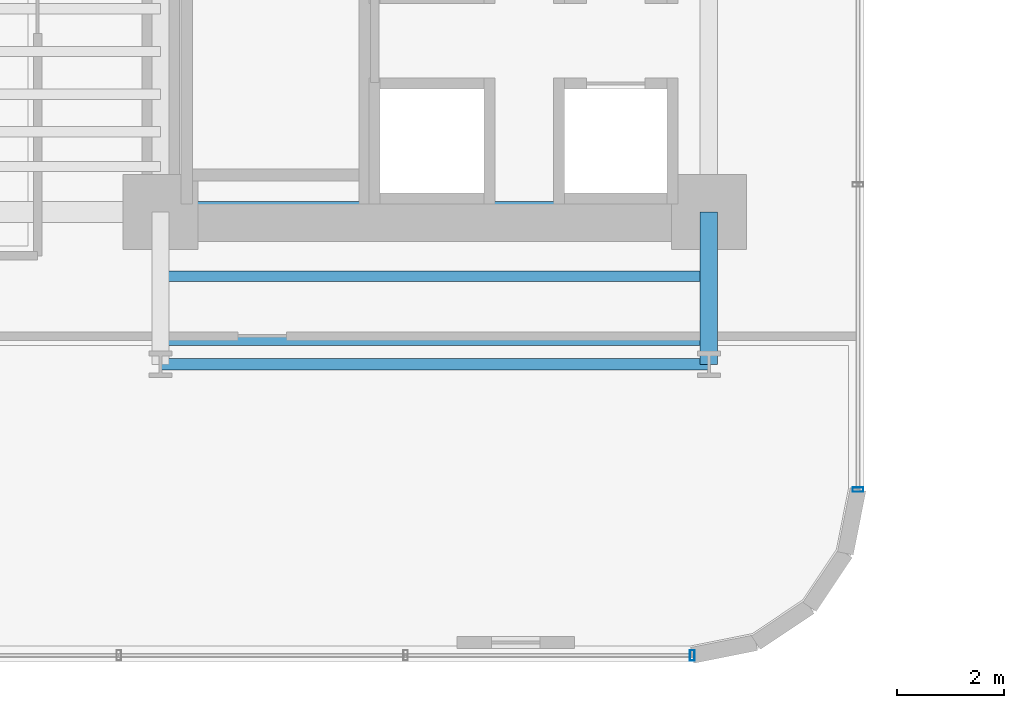
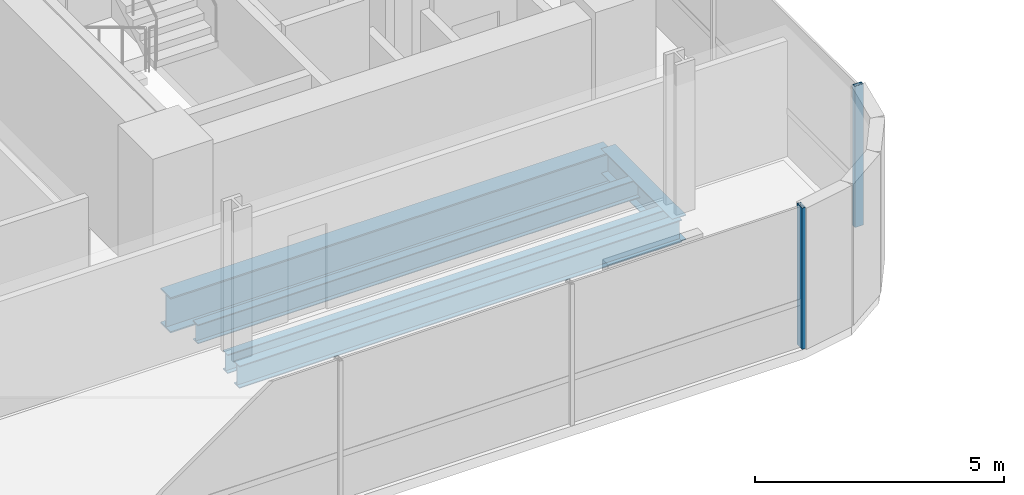
# One storey, part 5 of 40: 5 beams, 2 members, 2 elements without a shape of their own.
"""IFC4 building model written with IfcOpenShell, lengths in metres."""

from ifc_helpers import new_model, si_unit, direction, frame, origin, origin_2d, place, context, subcontext, project, spatial, hollow_rectangle, i_section, extrude, source, transform, mapped, material, material_profile, profile_set, type_object, element, aggregate, save


model = new_model("IFC4")

# Units and contexts
model_context = context("Model", 3, precision=1e-05, world=origin(), true_north=direction((0.0, 1.0)))
body_context = subcontext(model_context, "Body", "Model", "MODEL_VIEW")
ifc_project = project(units=[si_unit("LENGTHUNIT", "METRE"), si_unit("AREAUNIT", "SQUARE_METRE"), si_unit("VOLUMEUNIT", "CUBIC_METRE"), si_unit("PLANEANGLEUNIT", "RADIAN"), si_unit("MASSUNIT", "GRAM", prefix="KILO")], contexts=[model_context])

# Site, building, storey
site_placement = place(None, origin())
site = spatial("IfcSite", under=ifc_project, at=site_placement, CompositionType="ELEMENT")
building_placement = place(site_placement, origin())
building = spatial("IfcBuilding", under=site, at=building_placement, Name="Valdorenza Pilgrim Sanctuary Tower", CompositionType="ELEMENT")
storey_placement = place(building_placement, frame((0.0, 0.0, 48.199951171875)))
storey = spatial("IfcBuildingStorey", under=building, at=storey_placement, Name="L11", CompositionType="ELEMENT", Elevation=48.199951171875)

# Beams
ifc_material_1 = material(Name="Steel ASTM A992 Grade 50", Category="steel")
ifc_material_profile_1 = material_profile(ifc_material_1, i_section(OverallWidth=0.214111328125, OverallDepth=0.549072265625, WebThickness=0.0146484375, FlangeThickness=0.023681640625, at=origin_2d()), Name="W21X93")
ifc_profile_set_1 = profile_set([ifc_material_profile_1], Name="Steel ASTM A992 Grade 50")
beam_type_1 = type_object("IfcBeamType", Name="STR-BM-SPN-W21A", PredefinedType="SPANDREL", material=ifc_profile_set_1)
shared_shape_1 = source(origin(), body_context, "Body", "SweptSolid", [
    extrude(i_section(OverallWidth=0.214111328125, OverallDepth=0.549072265625, WebThickness=0.0146484375, FlangeThickness=0.023681640625, at=origin_2d()), origin(), (0.0, 0.0, 1.0), 10.25),
])
beam_1_placement = place(storey_placement, frame((-22.64990234375, -13.449951171875, -0.514404296875), z_axis=(1.0, 0.0, 0.0), x_axis=(0.0, 1.0, 0.0)))
element("IfcBeam", 1, at=beam_1_placement, inside=storey, type_object=beam_type_1, Name="L11 South Spandrel WA-S-TIE", PredefinedType="SPANDREL", context=body_context, shape_type="MappedRepresentation", body=[
    mapped(shared_shape_1, transform((0.0, 0.0, 0.0), x_axis=(1.0, 0.0, 0.0), y_axis=(0.0, 1.0, 0.0), z_axis=(0.0, 0.0, 1.0), scale=1.0)),
])
ifc_material_profile_2 = material_profile(ifc_material_1, i_section(OverallWidth=0.323974609375, OverallDepth=0.611083984375, WebThickness=0.0126953125, FlangeThickness=0.01904296875, at=origin_2d()), Name="W24X104")
ifc_profile_set_2 = profile_set([ifc_material_profile_2], Name="Steel ASTM A992 Grade 50")
beam_type_2 = type_object("IfcBeamType", Name="STR-BM-GRD-W24B", PredefinedType="BEAM", material=ifc_profile_set_2)
shared_shape_2 = source(origin(), body_context, "Body", "SweptSolid", [
    extrude(i_section(OverallWidth=0.323974609375, OverallDepth=0.611083984375, WebThickness=0.0126953125, FlangeThickness=0.01904296875, at=origin_2d()), origin(), (0.0, 0.0, 1.0), 2.849853515625),
])
beam_2_placement = place(storey_placement, frame((-12.39990234375, -13.449951171875, -0.54541015625), z_axis=(0.0, 1.0, 0.0), x_axis=(-1.0, 0.0, 0.0)))
element("IfcBeam", 2, at=beam_2_placement, inside=storey, type_object=beam_type_2, Name="L11 Floor Girder WA-S-LE", PredefinedType="BEAM", context=body_context, shape_type="MappedRepresentation", body=[
    mapped(shared_shape_2, transform((0.0, 0.0, 0.0), x_axis=(1.0, 0.0, 0.0), y_axis=(0.0, 1.0, 0.0), z_axis=(0.0, 0.0, 1.0), scale=1.0)),
])
ifc_material_profile_3 = material_profile(ifc_material_1, i_section(OverallWidth=0.193115234375, OverallDepth=0.466064453125, WebThickness=0.011474609375, FlangeThickness=0.01904296875, at=origin_2d()), Name="W18X65")
ifc_profile_set_3 = profile_set([ifc_material_profile_3], Name="Steel ASTM A992 Grade 50")
beam_type_3 = type_object("IfcBeamType", Name="STR-BM-JST-W18A", PredefinedType="JOIST", material=ifc_profile_set_3)
shared_shape_3 = source(origin(), body_context, "Body", "SweptSolid", [
    extrude(i_section(OverallWidth=0.193115234375, OverallDepth=0.466064453125, WebThickness=0.011474609375, FlangeThickness=0.01904296875, at=origin_2d()), origin(), (0.0, 0.0, 1.0), 10.25),
])
for number, where, z_axis, x_axis, name in (
    (3, (-22.64990234375, -13.0, -0.472900390625), (1.0, 0.0, 0.0), (0.0, 1.0, 0.0), "L11 Composite Floor Joist JST-WAS-1"),
    (4, (-22.64990234375, -11.800048828125, -0.472900390625), (1.0, 0.0, 0.0), (0.0, 1.0, 0.0), "L11 Composite Floor Joist JST-WAS-2"),
):
    element("IfcBeam", number, at=place(storey_placement, frame(where, z_axis=z_axis, x_axis=x_axis)), inside=storey, type_object=beam_type_3, Name=name, PredefinedType="JOIST", context=body_context, shape_type="MappedRepresentation", body=[
        mapped(shared_shape_3, transform((0.0, 0.0, 0.0), x_axis=(1.0, 0.0, 0.0), y_axis=(0.0, 1.0, 0.0), z_axis=(0.0, 0.0, 1.0), scale=1.0)),
    ])
ifc_material_profile_4 = material_profile(ifc_material_1, i_section(OverallWidth=0.39990234375, OverallDepth=0.862060546875, WebThickness=0.019775390625, FlangeThickness=0.032470703125, at=origin_2d()), Name="W33X221")
ifc_profile_set_4 = profile_set([ifc_material_profile_4], Name="Steel ASTM A992 Grade 50")
beam_type_4 = type_object("IfcBeamType", Name="STR-BM-GRD-W33", PredefinedType="BEAM", material=ifc_profile_set_4)
shared_shape_4 = source(origin(), body_context, "Body", "SweptSolid", [
    extrude(i_section(OverallWidth=0.39990234375, OverallDepth=0.862060546875, WebThickness=0.019775390625, FlangeThickness=0.032470703125, at=origin_2d()), origin(), (0.0, 0.0, 1.0), 10.25),
])
beam_3_placement = place(storey_placement, frame((-22.64990234375, -10.60009765625, -0.6708984375), z_axis=(1.0, 0.0, 0.0), x_axis=(0.0, 1.0, 0.0)))
element("IfcBeam", 5, at=beam_3_placement, inside=storey, type_object=beam_type_4, Name="L11 Floor Girder CA-XC-S1", PredefinedType="BEAM", context=body_context, shape_type="MappedRepresentation", body=[
    mapped(shared_shape_4, transform((0.0, 0.0, 0.0), x_axis=(1.0, 0.0, 0.0), y_axis=(0.0, 1.0, 0.0), z_axis=(0.0, 0.0, 1.0), scale=1.0)),
])

# Curtain wall, member
ifc_material_2 = material(Name="Curtain-wall IGU glazing", Category="glass")
curtain_wall_type = type_object("IfcCurtainWallType", Name="CW-SYS-02", PredefinedType="NOTDEFINED", material=ifc_material_2)
curtain_wall_1_placement = place(storey_placement, origin())
curtain_wall_1 = element("IfcCurtainWall", 6, at=curtain_wall_1_placement, inside=storey, type_object=curtain_wall_type, Name="L11 Curtain Wall CW-L11-1-41", PredefinedType="NOTDEFINED")
ifc_material_3 = material(Name="Anodised aluminium AW-6060", Category="aluminium")
ifc_material_profile_5 = material_profile(ifc_material_3, hollow_rectangle(XDim=0.0849609375, YDim=0.199951171875, WallThickness=0.0048828125, at=origin_2d()), Name="ALU-M 200x85x5")
ifc_profile_set_5 = profile_set([ifc_material_profile_5], Name="Anodised aluminium AW-6060")
member_type = type_object("IfcMemberType", Name="CW-MUL-02", PredefinedType="MULLION", material=ifc_profile_set_5)
shared_shape_5 = source(origin(), body_context, "Body", "SweptSolid", [
    extrude(hollow_rectangle(XDim=0.0849609375, YDim=0.199951171875, WallThickness=0.0048828125, at=origin_2d()), origin(), (0.0, 0.0, 1.0), 3.4599609375),
])
member_1_placement = place(storey_placement, frame((-9.610107421875, -15.789306640625, 0.0), z_axis=(0.0, 0.0, 1.0), x_axis=(0.0, -1.0, 0.0)))
member_1 = element("IfcMember", 7, at=member_1_placement, type_object=member_type, Name="CW-L11-1-41 Mullion 5", PredefinedType="MULLION", context=body_context, shape_type="MappedRepresentation", body=[
    mapped(shared_shape_5, transform((0.0, 0.0, 0.0), x_axis=(1.0, 0.0, 0.0), y_axis=(0.0, 1.0, 0.0), z_axis=(0.0, 0.0, 1.0), scale=1.0)),
])
aggregate(curtain_wall_1, [member_1])

curtain_wall_2_placement = place(storey_placement, origin())
curtain_wall_2 = element("IfcCurtainWall", 8, at=curtain_wall_2_placement, inside=storey, type_object=curtain_wall_type, Name="L11 Curtain Wall CW-L11-1-46", PredefinedType="NOTDEFINED")
member_2_placement = place(storey_placement, frame((-12.710693359375, -18.889892578125, 0.0), z_axis=(0.0, 0.0, 1.0), x_axis=(-1.0, 0.0, 0.0)))
member_2 = element("IfcMember", 9, at=member_2_placement, type_object=member_type, Name="CW-L11-1-46 Mullion 1", PredefinedType="MULLION", context=body_context, shape_type="MappedRepresentation", body=[
    mapped(shared_shape_5, transform((0.0, 0.0, 0.0), x_axis=(1.0, 0.0, 0.0), y_axis=(0.0, 1.0, 0.0), z_axis=(0.0, 0.0, 1.0), scale=1.0)),
])
aggregate(curtain_wall_2, [member_2])

save(model, "model.ifc")
